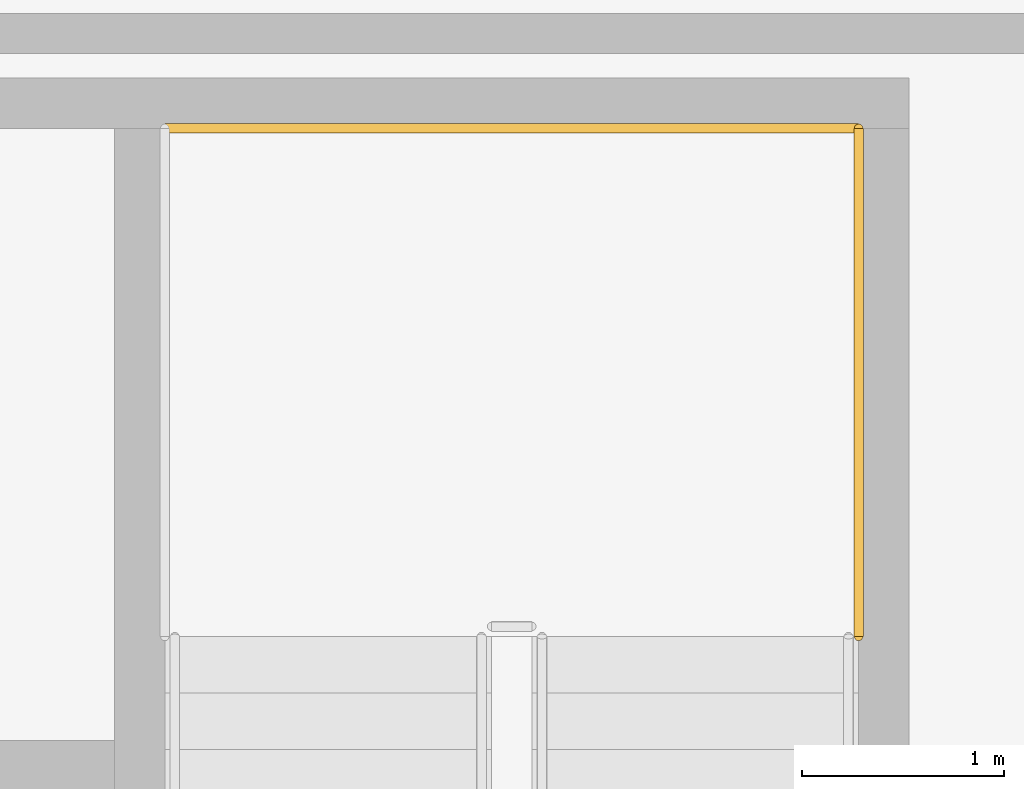
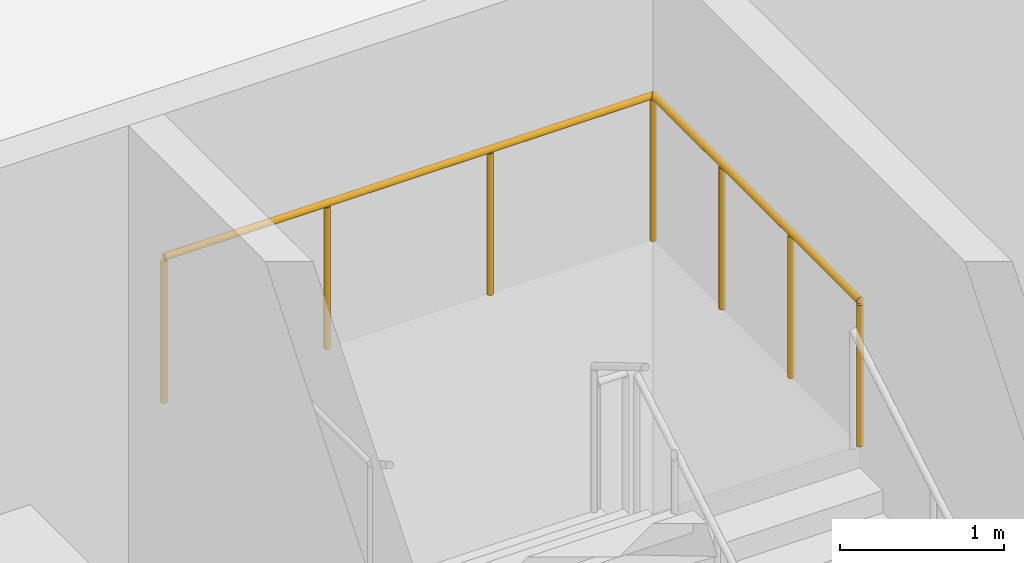
# One storey, part 36 of 37: 2 railings.
"""IFC4 building model written with IfcOpenShell, lengths in metres."""

import ifcopenshell
import ifcopenshell.guid

model = None  # the IFC model being written
_history = None  # IfcOwnerHistory: only IFC2X3 demands one
_inside = {}  # id of a spatial element -> (the spatial element, [elements in it])
_under = {}  # id of a project, library or spatial element -> (it, [spatial elements below it])
_declared = {}  # id of a project -> (the project, [libraries it declares])
_typed = {}  # id of a type object -> (the type object, [elements of that type])
_made_of = {}  # id of a material, layer set ... -> (it, [elements and type objects made of it])


def new_model(schema):
    """Start an empty IFC model of exactly this schema.

    Asked for "IFC4X3", IfcOpenShell would pick the latest addendum, in which some entities
    have other attributes; the version numbers below select the first issue.
    IFC2X3 requires an IfcOwnerHistory on every rooted entity: one is made here for all.
    """
    global model, _history
    if schema == "IFC4X3":
        model = ifcopenshell.file(schema_version=(4, 3, 0, 0))
    else:
        model = ifcopenshell.file(schema=schema)
    _inside.clear()
    _under.clear()
    _declared.clear()
    _typed.clear()
    _made_of.clear()
    _history = None
    if model.schema == "IFC2X3":
        org = make("IfcOrganization", Name="unknown")
        user = make(
            "IfcPersonAndOrganization",
            ThePerson=make("IfcPerson", FamilyName="unknown"),
            TheOrganization=org,
        )
        app = make(
            "IfcApplication",
            ApplicationDeveloper=org,
            Version="unknown",
            ApplicationFullName="unknown",
            ApplicationIdentifier="unknown",
        )
        _history = make(
            "IfcOwnerHistory",
            OwningUser=user,
            OwningApplication=app,
            ChangeAction="ADDED",
            CreationDate=0,
        )
    return model


def make(cls, **values):
    """One entity of the class cls with the attributes given. An attribute that is None is left unset."""
    return model.create_entity(
        cls, **{name: value for name, value in values.items() if value is not None}
    )


def rooted(cls, **values):
    """An entity with a GlobalId (a new one), such as an element, a storey or a relation."""
    return make(cls, GlobalId=ifcopenshell.guid.new(), OwnerHistory=_history, **values)


def si_unit(unit_type, name, prefix=None):
    """IfcSIUnit, for example si_unit("LENGTHUNIT", "METRE", prefix="MILLI")."""
    return make("IfcSIUnit", UnitType=unit_type, Prefix=prefix, Name=name)


def assignment(units):
    """IfcUnitAssignment: the units of a project."""
    return None if units is None else make("IfcUnitAssignment", Units=units)


def point(xyz):
    """IfcCartesianPoint."""
    return None if xyz is None else make("IfcCartesianPoint", Coordinates=xyz)


def direction(xyz):
    """IfcDirection."""
    return None if xyz is None else make("IfcDirection", DirectionRatios=xyz)


def frame(location, z_axis=None, x_axis=None):
    """IfcAxis2Placement3D, a coordinate frame: its origin and axes. An axis left out is left unset."""
    return make(
        "IfcAxis2Placement3D",
        Location=point(location),
        Axis=direction(z_axis),
        RefDirection=direction(x_axis),
    )


def frame_2d(location, x_axis=None):
    """IfcAxis2Placement2D, a coordinate frame in the plane: its origin and x axis."""
    return make(
        "IfcAxis2Placement2D", Location=point(location), RefDirection=direction(x_axis)
    )


def origin():
    """The frame at (0, 0, 0) with its axes left unset."""
    return frame((0.0, 0.0, 0.0))


def origin_2d():
    """The frame at (0, 0) in the plane with its x axis left unset."""
    return frame_2d((0.0, 0.0))


def place(relative_to, where):
    """IfcLocalPlacement: puts the frame where relative to a parent placement (None: the world)."""
    return make(
        "IfcLocalPlacement", PlacementRelTo=relative_to, RelativePlacement=where
    )


def context(
    kind, dimensions, precision=None, world=None, true_north=None, identifier=None
):
    """IfcGeometricRepresentationContext, for example the 3D "Model" context."""
    return make(
        "IfcGeometricRepresentationContext",
        ContextIdentifier=identifier,
        ContextType=kind,
        CoordinateSpaceDimension=dimensions,
        Precision=precision,
        WorldCoordinateSystem=world,
        TrueNorth=true_north,
    )


def subcontext(parent, identifier, kind, view, scale=None):
    """IfcGeometricRepresentationSubContext, for example "Body" below "Model"."""
    return make(
        "IfcGeometricRepresentationSubContext",
        ContextIdentifier=identifier,
        ContextType=kind,
        ParentContext=parent,
        TargetScale=scale,
        TargetView=view,
    )


def project(units=None, contexts=None):
    """IfcProject with its units and contexts."""
    return rooted(
        "IfcProject",
        Name="project",
        RepresentationContexts=contexts,
        UnitsInContext=assignment(units),
    )


def spatial(cls, under=None, at=None, **own):
    """A site, building, storey or space (cls), placed at a placement, below another one or the project."""
    s = rooted(cls, ObjectPlacement=at, **own)
    if under is not None:
        _under.setdefault(under.id(), (under, []))[1].append(s)
    return s


def profile(cls, at=None, kind="AREA", **sizes):
    """A parametric profile (cls). Its sizes go by their IFC names, for example OverallWidth=200.0."""
    return make(cls, ProfileType=kind, Position=at, **sizes)


def circle(**sizes):
    """IfcCircleProfileDef."""
    return profile("IfcCircleProfileDef", **sizes)


def extrude(swept, where, along, depth):
    """IfcExtrudedAreaSolid: the profile swept, set in the frame where, extruded along a direction by depth."""
    return make(
        "IfcExtrudedAreaSolid",
        SweptArea=swept,
        Position=where,
        ExtrudedDirection=direction(along),
        Depth=depth,
    )


def shape(context_of_items, identifier, shape_type, items):
    """IfcShapeRepresentation: the items that make up one representation, for example the "Body"."""
    return make(
        "IfcShapeRepresentation",
        ContextOfItems=context_of_items,
        RepresentationIdentifier=identifier,
        RepresentationType=shape_type,
        Items=items,
    )


def material(Name=None, Category=None):
    """IfcMaterial."""
    return make("IfcMaterial", Name=Name, Category=Category)


def made_of(thing, what):
    """Note that an element or type object is made of a material, layer set ...; save() writes the relation."""
    if what is not None:
        _made_of.setdefault(what.id(), (what, []))[1].append(thing)
    return thing


def type_object(cls, material=None, **own):
    """A type object (cls), such as IfcWallType, which elements share."""
    return made_of(rooted(cls, **own), material)


def element(
    cls,
    number,
    at=None,
    inside=None,
    cuts=None,
    type_object=None,
    material=None,
    context=None,
    identifier="Body",
    shape_type=None,
    held_by="IfcProductDefinitionShape",
    body=None,
    shapes=None,
    **own,
):
    """One element of the class cls, such as IfcWall. Its Tag is "e" and its number.

    at: its placement. inside: the storey or other place that contains it. cuts: it is an
    opening in that element (IfcRelVoidsElement). A single representation is given by context,
    identifier, shape_type and body (its items); several are given by shapes. held_by: the class
    of the entity that holds the representations. save() writes the other relations.
    """
    e = rooted(cls, Tag="e%d" % number, ObjectPlacement=at, **own)
    if body is not None:
        shapes = [shape(context, identifier, shape_type, body)]
    if shapes is not None:
        e.Representation = make(held_by, Representations=shapes)
    if inside is not None:
        _inside.setdefault(inside.id(), (inside, []))[1].append(e)
    if cuts is not None:
        rooted(
            "IfcRelVoidsElement", RelatingBuildingElement=cuts, RelatedOpeningElement=e
        )
    if type_object is not None:
        _typed.setdefault(type_object.id(), (type_object, []))[1].append(e)
    return made_of(e, material)


def aggregate(whole, parts):
    """IfcRelAggregates: a whole, such as a stair, and the parts it consists of."""
    return rooted("IfcRelAggregates", RelatingObject=whole, RelatedObjects=parts)


def save(model, path):
    """Write the relations noted so far, then the file.

    IfcRelAggregates (storeys below a building ...), IfcRelContainedInSpatialStructure (elements
    in a storey), IfcRelDefinesByType, IfcRelAssociatesMaterial and IfcRelDeclares: one each for
    every whole, place, type object, material and project.
    """
    for whole, parts in _under.values():
        aggregate(whole, parts)
    for where, things in _inside.values():
        rooted(
            "IfcRelContainedInSpatialStructure",
            RelatedElements=things,
            RelatingStructure=where,
        )
    for kind, things in _typed.values():
        rooted("IfcRelDefinesByType", RelatedObjects=things, RelatingType=kind)
    for what, things in _made_of.values():
        rooted("IfcRelAssociatesMaterial", RelatedObjects=things, RelatingMaterial=what)
    for by, libraries in _declared.values():
        rooted("IfcRelDeclares", RelatingContext=by, RelatedDefinitions=libraries)
    model.write(path)


model = new_model("IFC4")

# Units and contexts
model_context = context("Model", 3, precision=1e-05, world=origin(), true_north=direction((0.0, 1.0)))
body_context = subcontext(model_context, "Body", "Model", "MODEL_VIEW")
ifc_project = project(units=[si_unit("LENGTHUNIT", "METRE"), si_unit("AREAUNIT", "SQUARE_METRE"), si_unit("VOLUMEUNIT", "CUBIC_METRE"), si_unit("PLANEANGLEUNIT", "RADIAN"), si_unit("MASSUNIT", "GRAM", prefix="KILO")], contexts=[model_context])

# Site, building, storey
site_placement = place(None, origin())
site = spatial("IfcSite", under=ifc_project, at=site_placement, CompositionType="ELEMENT")
building_placement = place(site_placement, origin())
building = spatial("IfcBuilding", under=site, at=building_placement, Name="Barlavento Convention Centre", CompositionType="ELEMENT")
storey_placement = place(building_placement, frame((0.0, 0.0, -5.0)))
storey = spatial("IfcBuildingStorey", under=building, at=storey_placement, Name="B1", CompositionType="ELEMENT", Elevation=-5.0)

# Railings
ifc_material = material(Name="Stainless steel and laminated glass balustrade", Category="steel")
railing_type = type_object("IfcRailingType", Name="ARC-RAL-BAL-1100", PredefinedType="BALUSTRADE", material=ifc_material)
railing_1_placement = place(storey_placement, frame((188.14990234375, 96.010009765625, 2.5)))
element("IfcRailing", 1, at=railing_1_placement, inside=storey, type_object=railing_type, Name="B1 landing guard GR01", PredefinedType="BALUSTRADE", context=body_context, shape_type="SweptSolid", body=[
    extrude(circle(Radius=0.02392578125, at=origin_2d()), frame((0.0, 0.0, 1.076171875), z_axis=(0.0, 1.0, 0.0), x_axis=(-1.0, 0.0, 0.0)), (0.0, 0.0, 1.0), 2.52001953125),
    extrude(circle(Radius=0.02099609375, at=origin_2d()), origin(), (0.0, 0.0, 1.0), 1.052001953125),
    extrude(circle(Radius=0.02099609375, at=origin_2d()), frame((0.0, 0.840087890625, 0.0)), (0.0, 0.0, 1.0), 1.052001953125),
    extrude(circle(Radius=0.02099609375, at=origin_2d()), frame((0.0, 1.679931640625, 0.0)), (0.0, 0.0, 1.0), 1.052001953125),
    extrude(circle(Radius=0.02099609375, at=origin_2d()), frame((0.0, 2.52001953125, 0.0)), (0.0, 0.0, 1.0), 1.052001953125),
])
railing_2_placement = place(storey_placement, frame((188.14990234375, 98.530029296875, 2.5)))
element("IfcRailing", 2, at=railing_2_placement, inside=storey, type_object=railing_type, Name="B1 landing guard GR01", PredefinedType="BALUSTRADE", context=body_context, shape_type="SweptSolid", body=[
    extrude(circle(Radius=0.02392578125, at=origin_2d()), frame((0.0, 0.0, 1.076171875), z_axis=(-1.0, 0.0, 0.0), x_axis=(0.0, -1.0, 0.0)), (0.0, 0.0, 1.0), 3.43994140625),
    extrude(circle(Radius=0.02099609375, at=origin_2d()), origin(), (0.0, 0.0, 1.0), 1.052001953125),
    extrude(circle(Radius=0.02099609375, at=origin_2d()), frame((-1.146728515625, 0.0, 0.0)), (0.0, 0.0, 1.0), 1.052001953125),
    extrude(circle(Radius=0.02099609375, at=origin_2d()), frame((-2.293212890625, 0.0, 0.0)), (0.0, 0.0, 1.0), 1.052001953125),
    extrude(circle(Radius=0.02099609375, at=origin_2d()), frame((-3.43994140625, 0.0, 0.0)), (0.0, 0.0, 1.0), 1.052001953125),
])

save(model, "model.ifc")
